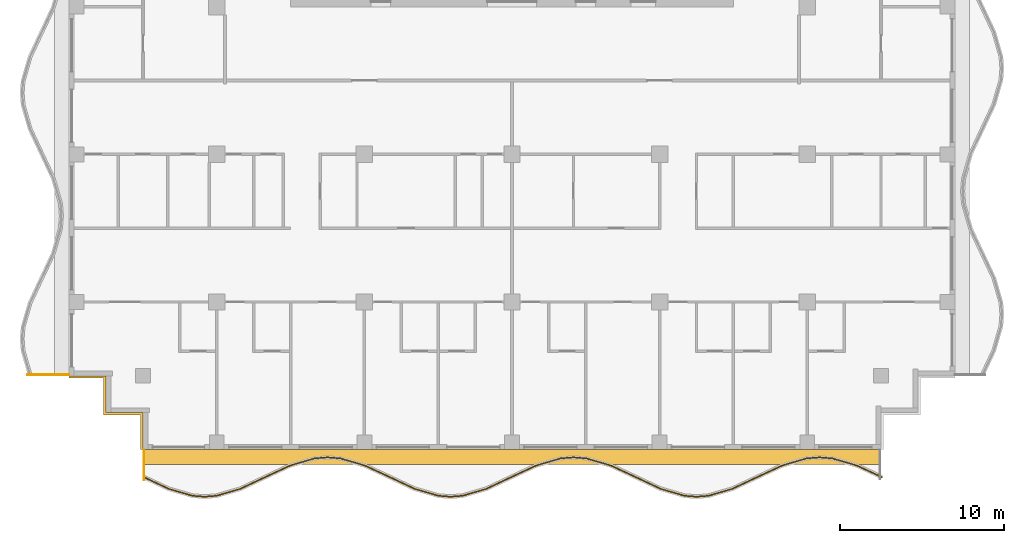
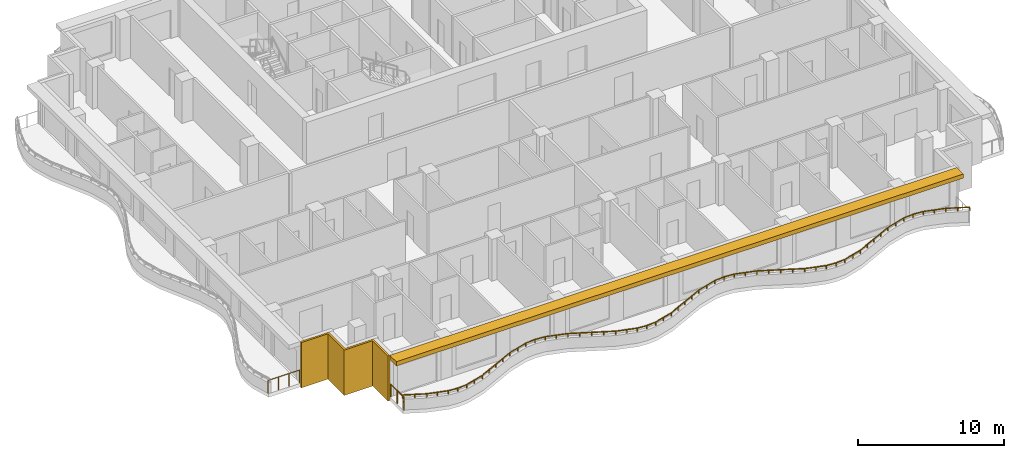
# One storey, part 8 of 11: 3 railings, 2 shading devices.
"""IFC4 building model written with IfcOpenShell, lengths in metres."""

from ifc_helpers import new_model, si_unit, direction, frame, origin, origin_2d, place, context, subcontext, project, spatial, polyline, rectangle, outline, extrude, material, layer, layer_set, type_object, element, save


model = new_model("IFC4")

# Units and contexts
model_context = context("Model", 3, precision=1e-05, world=origin(), true_north=direction((0.0, 1.0)))
body_context = subcontext(model_context, "Body", "Model", "MODEL_VIEW")
ifc_project = project(units=[si_unit("LENGTHUNIT", "METRE"), si_unit("AREAUNIT", "SQUARE_METRE"), si_unit("VOLUMEUNIT", "CUBIC_METRE"), si_unit("PLANEANGLEUNIT", "RADIAN"), si_unit("MASSUNIT", "GRAM", prefix="KILO")], contexts=[model_context])

# Site, building, storey
site_placement = place(None, origin())
site = spatial("IfcSite", under=ifc_project, at=site_placement, CompositionType="ELEMENT")
building_placement = place(site_placement, origin())
building = spatial("IfcBuilding", under=site, at=building_placement, Name="Orbiselva Terraces", CompositionType="ELEMENT")
storey_placement = place(building_placement, frame((0.0, 0.0, 242.6)))
storey = spatial("IfcBuildingStorey", under=building, at=storey_placement, Name="L61", CompositionType="ELEMENT", Elevation=242.6)

# Railings
ifc_material_1 = material(Name="Bonded two-ply safety glass balustrade, stainless steel posts", Category="steel")
railing_type_1 = type_object("IfcRailingType", Name="ENV-BALUSTRADE-1200", PredefinedType="BALUSTRADE", material=ifc_material_1)
railing_1_placement = place(storey_placement, frame((-22.446809, -24.186882, 0.9)))
element("IfcRailing", 1, at=railing_1_placement, inside=storey, type_object=railing_type_1, Name="Balcony balustrade L61 S", PredefinedType="BALUSTRADE", context=body_context, shape_type="SweptSolid", body=[
    extrude(outline(polyline([(0.028868, 0.0), (0.014434, 0.025), (-0.014434, 0.025), (-0.028868, 0.0), (-0.014434, -0.025), (0.014434, -0.025), (0.028868, 0.0)])), frame((0.0, 0.0, 0.275), z_axis=(0.904944359461, -0.425529912322, 0.0), x_axis=(0.425529912322, 0.904944359461, 0.0)), (0.0, 0.0, 1.0), 1.647746),
    extrude(outline(polyline([(0.028868, 0.0), (0.014434, 0.025), (-0.014434, 0.025), (-0.028868, 0.0), (-0.014434, -0.025), (0.014434, -0.025), (0.028868, 0.0)])), frame((1.491118, -0.701165, 0.275), z_axis=(0.960270317007, -0.279071528957, 0.0), x_axis=(0.279071528957, 0.960270317007, 0.0)), (0.0, 0.0, 1.0), 1.539408),
    extrude(outline(polyline([(0.028868, 0.0), (0.014434, 0.025), (-0.014434, 0.025), (-0.028868, 0.0), (-0.014434, -0.025), (0.014434, -0.025), (0.028868, 0.0)])), frame((2.969366, -1.13077, 0.275), z_axis=(0.996947916106, -0.078069536776, 0.0), x_axis=(0.078069536776, 0.996947916106, 0.0)), (0.0, 0.0, 1.0), 0.72967),
    extrude(outline(polyline([(0.028868, 0.0), (0.014434, 0.025), (-0.014434, 0.025), (-0.028868, 0.0), (-0.014434, -0.025), (0.014434, -0.025), (0.028868, 0.0)])), frame((3.696809, -1.187735, 0.275), z_axis=(0.996947916106, 0.078069536776, 0.0), x_axis=(-0.078069536776, 0.996947916106, 0.0)), (0.0, 0.0, 1.0), 0.72967),
    extrude(outline(polyline([(0.028868, 0.0), (0.014434, 0.025), (-0.014434, 0.025), (-0.028868, 0.0), (-0.014434, -0.025), (0.014434, -0.025), (0.028868, 0.0)])), frame((4.424252, -1.13077, 0.275), z_axis=(0.960270317007, 0.279071528957, 0.0), x_axis=(-0.279071528957, 0.960270317007, 0.0)), (0.0, 0.0, 1.0), 1.539408),
    extrude(outline(polyline([(0.028868, 0.0), (0.014434, 0.025), (-0.014434, 0.025), (-0.028868, 0.0), (-0.014434, -0.025), (0.014434, -0.025), (0.028868, 0.0)])), frame((5.9025, -0.701165, 0.275), z_axis=(0.904944359461, 0.425529912322, 0.0), x_axis=(-0.425529912322, 0.904944359461, 0.0)), (0.0, 0.0, 1.0), 1.647746),
    extrude(outline(polyline([(0.028868, 0.0), (0.014434, 0.025), (-0.014434, 0.025), (-0.028868, 0.0), (-0.014434, -0.025), (0.014434, -0.025), (0.028868, 0.0)])), frame((7.393618, 0.0, 0.275), z_axis=(0.904944157382, 0.425530342069, 0.0), x_axis=(-0.425530342069, 0.904944157382, 0.0)), (0.0, 0.0, 1.0), 1.667376),
    extrude(outline(polyline([(0.028868, 0.0), (0.014434, 0.025), (-0.014434, 0.025), (-0.028868, 0.0), (-0.014434, -0.025), (0.014434, -0.025), (0.028868, 0.0)])), frame((8.9025, 0.709519, 0.275), z_axis=(0.960270491427, 0.279070928786, 0.0), x_axis=(-0.279070928786, 0.960270491427, 0.0)), (0.0, 0.0, 1.0), 1.584712),
    extrude(outline(polyline([(0.028868, 0.0), (0.014434, 0.025), (-0.014434, 0.025), (-0.028868, 0.0), (-0.014434, -0.025), (0.014434, -0.025), (0.028868, 0.0)])), frame((10.424252, 1.151766, 0.275), z_axis=(0.996947796737, 0.078071061106, 0.0), x_axis=(-0.078071061106, 0.996947796737, 0.0)), (0.0, 0.0, 1.0), 0.774922),
    extrude(outline(polyline([(0.028868, 0.0), (0.014434, 0.025), (-0.014434, 0.025), (-0.028868, 0.0), (-0.014434, -0.025), (0.014434, -0.025), (0.028868, 0.0)])), frame((11.196809, 1.212265, 0.275), z_axis=(0.996947796737, -0.078071061106, 0.0), x_axis=(0.078071061106, 0.996947796737, 0.0)), (0.0, 0.0, 1.0), 0.774922),
    extrude(outline(polyline([(0.028868, 0.0), (0.014434, 0.025), (-0.014434, 0.025), (-0.028868, 0.0), (-0.014434, -0.025), (0.014434, -0.025), (0.028868, 0.0)])), frame((11.969366, 1.151766, 0.275), z_axis=(0.960270491427, -0.279070928786, 0.0), x_axis=(0.279070928786, 0.960270491427, 0.0)), (0.0, 0.0, 1.0), 1.584712),
    extrude(outline(polyline([(0.028868, 0.0), (0.014434, 0.025), (-0.014434, 0.025), (-0.028868, 0.0), (-0.014434, -0.025), (0.014434, -0.025), (0.028868, 0.0)])), frame((13.491118, 0.709519, 0.275), z_axis=(0.904944157382, -0.425530342069, 0.0), x_axis=(0.425530342069, 0.904944157382, 0.0)), (0.0, 0.0, 1.0), 1.667376),
    extrude(outline(polyline([(0.028868, 0.0), (0.014434, 0.025), (-0.014434, 0.025), (-0.028868, 0.0), (-0.014434, -0.025), (0.014434, -0.025), (0.028868, 0.0)])), frame((15.0, 0.0, 0.275), z_axis=(0.904944359461, -0.425529912322, 0.0), x_axis=(0.425529912322, 0.904944359461, 0.0)), (0.0, 0.0, 1.0), 1.647746),
    extrude(outline(polyline([(0.028868, 0.0), (0.014434, 0.025), (-0.014434, 0.025), (-0.028868, 0.0), (-0.014434, -0.025), (0.014434, -0.025), (0.028868, 0.0)])), frame((16.491118, -0.701165, 0.275), z_axis=(0.960270317007, -0.279071528957, 0.0), x_axis=(0.279071528957, 0.960270317007, 0.0)), (0.0, 0.0, 1.0), 1.539408),
    extrude(outline(polyline([(0.028868, 0.0), (0.014434, 0.025), (-0.014434, 0.025), (-0.028868, 0.0), (-0.014434, -0.025), (0.014434, -0.025), (0.028868, 0.0)])), frame((17.969366, -1.13077, 0.275), z_axis=(0.996947916106, -0.078069536776, 0.0), x_axis=(0.078069536776, 0.996947916106, 0.0)), (0.0, 0.0, 1.0), 0.72967),
    extrude(outline(polyline([(0.028868, 0.0), (0.014434, 0.025), (-0.014434, 0.025), (-0.028868, 0.0), (-0.014434, -0.025), (0.014434, -0.025), (0.028868, 0.0)])), frame((18.696809, -1.187735, 0.275), z_axis=(0.996947916106, 0.078069536776, 0.0), x_axis=(-0.078069536776, 0.996947916106, 0.0)), (0.0, 0.0, 1.0), 0.72967),
    extrude(outline(polyline([(0.028868, 0.0), (0.014434, 0.025), (-0.014434, 0.025), (-0.028868, 0.0), (-0.014434, -0.025), (0.014434, -0.025), (0.028868, 0.0)])), frame((19.424252, -1.13077, 0.275), z_axis=(0.960270317007, 0.279071528957, 0.0), x_axis=(-0.279071528957, 0.960270317007, 0.0)), (0.0, 0.0, 1.0), 1.539408),
    extrude(outline(polyline([(0.028868, 0.0), (0.014434, 0.025), (-0.014434, 0.025), (-0.028868, 0.0), (-0.014434, -0.025), (0.014434, -0.025), (0.028868, 0.0)])), frame((20.9025, -0.701165, 0.275), z_axis=(0.904944359461, 0.425529912322, 0.0), x_axis=(-0.425529912322, 0.904944359461, 0.0)), (0.0, 0.0, 1.0), 1.647746),
    extrude(outline(polyline([(0.028868, 0.0), (0.014434, 0.025), (-0.014434, 0.025), (-0.028868, 0.0), (-0.014434, -0.025), (0.014434, -0.025), (0.028868, 0.0)])), frame((22.393618, 0.0, 0.275), z_axis=(0.904944157382, 0.425530342069, 0.0), x_axis=(-0.425530342069, 0.904944157382, 0.0)), (0.0, 0.0, 1.0), 1.667376),
    extrude(outline(polyline([(0.028868, 0.0), (0.014434, 0.025), (-0.014434, 0.025), (-0.028868, 0.0), (-0.014434, -0.025), (0.014434, -0.025), (0.028868, 0.0)])), frame((23.9025, 0.709519, 0.275), z_axis=(0.960270491427, 0.279070928786, 0.0), x_axis=(-0.279070928786, 0.960270491427, 0.0)), (0.0, 0.0, 1.0), 1.584712),
    extrude(outline(polyline([(0.028868, 0.0), (0.014434, 0.025), (-0.014434, 0.025), (-0.028868, 0.0), (-0.014434, -0.025), (0.014434, -0.025), (0.028868, 0.0)])), frame((25.424252, 1.151766, 0.275), z_axis=(0.996947796737, 0.078071061106, 0.0), x_axis=(-0.078071061106, 0.996947796737, 0.0)), (0.0, 0.0, 1.0), 0.774922),
    extrude(outline(polyline([(0.028868, 0.0), (0.014434, 0.025), (-0.014434, 0.025), (-0.028868, 0.0), (-0.014434, -0.025), (0.014434, -0.025), (0.028868, 0.0)])), frame((26.196809, 1.212265, 0.275), z_axis=(0.996947796737, -0.078071061106, 0.0), x_axis=(0.078071061106, 0.996947796737, 0.0)), (0.0, 0.0, 1.0), 0.774922),
    extrude(outline(polyline([(0.028868, 0.0), (0.014434, 0.025), (-0.014434, 0.025), (-0.028868, 0.0), (-0.014434, -0.025), (0.014434, -0.025), (0.028868, 0.0)])), frame((26.969366, 1.151766, 0.275), z_axis=(0.960270491427, -0.279070928786, 0.0), x_axis=(0.279070928786, 0.960270491427, 0.0)), (0.0, 0.0, 1.0), 1.584712),
    extrude(outline(polyline([(0.028868, 0.0), (0.014434, 0.025), (-0.014434, 0.025), (-0.028868, 0.0), (-0.014434, -0.025), (0.014434, -0.025), (0.028868, 0.0)])), frame((28.491118, 0.709519, 0.275), z_axis=(0.904944157382, -0.425530342069, 0.0), x_axis=(0.425530342069, 0.904944157382, 0.0)), (0.0, 0.0, 1.0), 1.667376),
    extrude(outline(polyline([(0.028868, 0.0), (0.014434, 0.025), (-0.014434, 0.025), (-0.028868, 0.0), (-0.014434, -0.025), (0.014434, -0.025), (0.028868, 0.0)])), frame((30.0, 0.0, 0.275), z_axis=(0.904944359461, -0.425529912322, 0.0), x_axis=(0.425529912322, 0.904944359461, 0.0)), (0.0, 0.0, 1.0), 1.647746),
    extrude(outline(polyline([(0.028868, 0.0), (0.014434, 0.025), (-0.014434, 0.025), (-0.028868, 0.0), (-0.014434, -0.025), (0.014434, -0.025), (0.028868, 0.0)])), frame((31.491118, -0.701165, 0.275), z_axis=(0.960270317007, -0.279071528957, 0.0), x_axis=(0.279071528957, 0.960270317007, 0.0)), (0.0, 0.0, 1.0), 1.539408),
    extrude(outline(polyline([(0.028868, 0.0), (0.014434, 0.025), (-0.014434, 0.025), (-0.028868, 0.0), (-0.014434, -0.025), (0.014434, -0.025), (0.028868, 0.0)])), frame((32.969366, -1.13077, 0.275), z_axis=(0.996947916106, -0.078069536776, 0.0), x_axis=(0.078069536776, 0.996947916106, 0.0)), (0.0, 0.0, 1.0), 0.72967),
    extrude(outline(polyline([(0.028868, 0.0), (0.014434, 0.025), (-0.014434, 0.025), (-0.028868, 0.0), (-0.014434, -0.025), (0.014434, -0.025), (0.028868, 0.0)])), frame((33.696809, -1.187735, 0.275), z_axis=(0.996947916106, 0.078069536776, 0.0), x_axis=(-0.078069536776, 0.996947916106, 0.0)), (0.0, 0.0, 1.0), 0.72967),
    extrude(outline(polyline([(0.028868, 0.0), (0.014434, 0.025), (-0.014434, 0.025), (-0.028868, 0.0), (-0.014434, -0.025), (0.014434, -0.025), (0.028868, 0.0)])), frame((34.424252, -1.13077, 0.275), z_axis=(0.960270317007, 0.279071528957, 0.0), x_axis=(-0.279071528957, 0.960270317007, 0.0)), (0.0, 0.0, 1.0), 1.539408),
    extrude(outline(polyline([(0.028868, 0.0), (0.014434, 0.025), (-0.014434, 0.025), (-0.028868, 0.0), (-0.014434, -0.025), (0.014434, -0.025), (0.028868, 0.0)])), frame((35.9025, -0.701165, 0.275), z_axis=(0.904944359461, 0.425529912322, 0.0), x_axis=(-0.425529912322, 0.904944359461, 0.0)), (0.0, 0.0, 1.0), 1.647746),
    extrude(outline(polyline([(0.028868, 0.0), (0.014434, 0.025), (-0.014434, 0.025), (-0.028868, 0.0), (-0.014434, -0.025), (0.014434, -0.025), (0.028868, 0.0)])), frame((37.393618, 0.0, 0.275), z_axis=(0.904944157382, 0.425530342069, 0.0), x_axis=(-0.425530342069, 0.904944157382, 0.0)), (0.0, 0.0, 1.0), 1.667376),
    extrude(outline(polyline([(0.028868, 0.0), (0.014434, 0.025), (-0.014434, 0.025), (-0.028868, 0.0), (-0.014434, -0.025), (0.014434, -0.025), (0.028868, 0.0)])), frame((38.9025, 0.709519, 0.275), z_axis=(0.960270491427, 0.279070928786, 0.0), x_axis=(-0.279070928786, 0.960270491427, 0.0)), (0.0, 0.0, 1.0), 1.584712),
    extrude(outline(polyline([(0.028868, 0.0), (0.014434, 0.025), (-0.014434, 0.025), (-0.028868, 0.0), (-0.014434, -0.025), (0.014434, -0.025), (0.028868, 0.0)])), frame((40.424252, 1.151766, 0.275), z_axis=(0.996947796737, 0.078071061106, 0.0), x_axis=(-0.078071061106, 0.996947796737, 0.0)), (0.0, 0.0, 1.0), 0.774922),
    extrude(outline(polyline([(0.028868, 0.0), (0.014434, 0.025), (-0.014434, 0.025), (-0.028868, 0.0), (-0.014434, -0.025), (0.014434, -0.025), (0.028868, 0.0)])), frame((41.196809, 1.212265, 0.275), z_axis=(0.996947796737, -0.078071061106, 0.0), x_axis=(0.078071061106, 0.996947796737, 0.0)), (0.0, 0.0, 1.0), 0.774922),
    extrude(outline(polyline([(0.028868, 0.0), (0.014434, 0.025), (-0.014434, 0.025), (-0.028868, 0.0), (-0.014434, -0.025), (0.014434, -0.025), (0.028868, 0.0)])), frame((41.969366, 1.151766, 0.275), z_axis=(0.960270491427, -0.279070928786, 0.0), x_axis=(0.279070928786, 0.960270491427, 0.0)), (0.0, 0.0, 1.0), 1.584712),
    extrude(outline(polyline([(0.028868, 0.0), (0.014434, 0.025), (-0.014434, 0.025), (-0.028868, 0.0), (-0.014434, -0.025), (0.014434, -0.025), (0.028868, 0.0)])), frame((43.491118, 0.709519, 0.275), z_axis=(0.904944157382, -0.425530342069, 0.0), x_axis=(0.425530342069, 0.904944157382, 0.0)), (0.0, 0.0, 1.0), 1.667376),
    extrude(rectangle(XDim=0.05, YDim=0.05, at=origin_2d()), origin(), (0.0, 0.0, 1.0), 0.25),
    extrude(rectangle(XDim=0.05, YDim=0.05, at=origin_2d()), frame((0.745559, -0.350582, 0.0)), (0.0, 0.0, 1.0), 0.25),
    extrude(rectangle(XDim=0.05, YDim=0.05, at=origin_2d()), frame((1.491118, -0.701165, 0.0)), (0.0, 0.0, 1.0), 0.25),
    extrude(rectangle(XDim=0.05, YDim=0.05, at=origin_2d()), frame((2.230242, -0.915967, 0.0)), (0.0, 0.0, 1.0), 0.25),
    extrude(rectangle(XDim=0.05, YDim=0.05, at=origin_2d()), frame((2.969366, -1.13077, 0.0)), (0.0, 0.0, 1.0), 0.25),
    extrude(rectangle(XDim=0.05, YDim=0.05, at=origin_2d()), frame((3.696809, -1.187735, 0.0)), (0.0, 0.0, 1.0), 0.25),
    extrude(rectangle(XDim=0.05, YDim=0.05, at=origin_2d()), frame((4.424252, -1.13077, 0.0)), (0.0, 0.0, 1.0), 0.25),
    extrude(rectangle(XDim=0.05, YDim=0.05, at=origin_2d()), frame((5.163376, -0.915967, 0.0)), (0.0, 0.0, 1.0), 0.25),
    extrude(rectangle(XDim=0.05, YDim=0.05, at=origin_2d()), frame((5.9025, -0.701165, 0.0)), (0.0, 0.0, 1.0), 0.25),
    extrude(rectangle(XDim=0.05, YDim=0.05, at=origin_2d()), frame((6.648059, -0.350582, 0.0)), (0.0, 0.0, 1.0), 0.25),
    extrude(rectangle(XDim=0.05, YDim=0.05, at=origin_2d()), frame((7.393618, 0.0, 0.0)), (0.0, 0.0, 1.0), 0.25),
    extrude(rectangle(XDim=0.05, YDim=0.05, at=origin_2d()), frame((8.148059, 0.35476, 0.0)), (0.0, 0.0, 1.0), 0.25),
    extrude(rectangle(XDim=0.05, YDim=0.05, at=origin_2d()), frame((8.9025, 0.709519, 0.0)), (0.0, 0.0, 1.0), 0.25),
    extrude(rectangle(XDim=0.05, YDim=0.05, at=origin_2d()), frame((9.663376, 0.930643, 0.0)), (0.0, 0.0, 1.0), 0.25),
    extrude(rectangle(XDim=0.05, YDim=0.05, at=origin_2d()), frame((10.424252, 1.151766, 0.0)), (0.0, 0.0, 1.0), 0.25),
    extrude(rectangle(XDim=0.05, YDim=0.05, at=origin_2d()), frame((11.196809, 1.212265, 0.0)), (0.0, 0.0, 1.0), 0.25),
    extrude(rectangle(XDim=0.05, YDim=0.05, at=origin_2d()), frame((11.969366, 1.151766, 0.0)), (0.0, 0.0, 1.0), 0.25),
    extrude(rectangle(XDim=0.05, YDim=0.05, at=origin_2d()), frame((12.730242, 0.930643, 0.0)), (0.0, 0.0, 1.0), 0.25),
    extrude(rectangle(XDim=0.05, YDim=0.05, at=origin_2d()), frame((13.491118, 0.709519, 0.0)), (0.0, 0.0, 1.0), 0.25),
    extrude(rectangle(XDim=0.05, YDim=0.05, at=origin_2d()), frame((14.245559, 0.35476, 0.0)), (0.0, 0.0, 1.0), 0.25),
    extrude(rectangle(XDim=0.05, YDim=0.05, at=origin_2d()), frame((15.0, 0.0, 0.0)), (0.0, 0.0, 1.0), 0.25),
    extrude(rectangle(XDim=0.05, YDim=0.05, at=origin_2d()), frame((15.745559, -0.350582, 0.0)), (0.0, 0.0, 1.0), 0.25),
    extrude(rectangle(XDim=0.05, YDim=0.05, at=origin_2d()), frame((16.491118, -0.701165, 0.0)), (0.0, 0.0, 1.0), 0.25),
    extrude(rectangle(XDim=0.05, YDim=0.05, at=origin_2d()), frame((17.230242, -0.915967, 0.0)), (0.0, 0.0, 1.0), 0.25),
    extrude(rectangle(XDim=0.05, YDim=0.05, at=origin_2d()), frame((17.969366, -1.13077, 0.0)), (0.0, 0.0, 1.0), 0.25),
    extrude(rectangle(XDim=0.05, YDim=0.05, at=origin_2d()), frame((18.696809, -1.187735, 0.0)), (0.0, 0.0, 1.0), 0.25),
    extrude(rectangle(XDim=0.05, YDim=0.05, at=origin_2d()), frame((19.424252, -1.13077, 0.0)), (0.0, 0.0, 1.0), 0.25),
    extrude(rectangle(XDim=0.05, YDim=0.05, at=origin_2d()), frame((20.163376, -0.915967, 0.0)), (0.0, 0.0, 1.0), 0.25),
    extrude(rectangle(XDim=0.05, YDim=0.05, at=origin_2d()), frame((20.9025, -0.701165, 0.0)), (0.0, 0.0, 1.0), 0.25),
    extrude(rectangle(XDim=0.05, YDim=0.05, at=origin_2d()), frame((21.648059, -0.350582, 0.0)), (0.0, 0.0, 1.0), 0.25),
    extrude(rectangle(XDim=0.05, YDim=0.05, at=origin_2d()), frame((22.393618, 0.0, 0.0)), (0.0, 0.0, 1.0), 0.25),
    extrude(rectangle(XDim=0.05, YDim=0.05, at=origin_2d()), frame((23.148059, 0.35476, 0.0)), (0.0, 0.0, 1.0), 0.25),
    extrude(rectangle(XDim=0.05, YDim=0.05, at=origin_2d()), frame((23.9025, 0.709519, 0.0)), (0.0, 0.0, 1.0), 0.25),
    extrude(rectangle(XDim=0.05, YDim=0.05, at=origin_2d()), frame((24.663376, 0.930643, 0.0)), (0.0, 0.0, 1.0), 0.25),
    extrude(rectangle(XDim=0.05, YDim=0.05, at=origin_2d()), frame((25.424252, 1.151766, 0.0)), (0.0, 0.0, 1.0), 0.25),
    extrude(rectangle(XDim=0.05, YDim=0.05, at=origin_2d()), frame((26.196809, 1.212265, 0.0)), (0.0, 0.0, 1.0), 0.25),
    extrude(rectangle(XDim=0.05, YDim=0.05, at=origin_2d()), frame((26.969366, 1.151766, 0.0)), (0.0, 0.0, 1.0), 0.25),
    extrude(rectangle(XDim=0.05, YDim=0.05, at=origin_2d()), frame((27.730242, 0.930643, 0.0)), (0.0, 0.0, 1.0), 0.25),
    extrude(rectangle(XDim=0.05, YDim=0.05, at=origin_2d()), frame((28.491118, 0.709519, 0.0)), (0.0, 0.0, 1.0), 0.25),
    extrude(rectangle(XDim=0.05, YDim=0.05, at=origin_2d()), frame((29.245559, 0.35476, 0.0)), (0.0, 0.0, 1.0), 0.25),
    extrude(rectangle(XDim=0.05, YDim=0.05, at=origin_2d()), frame((30.0, 0.0, 0.0)), (0.0, 0.0, 1.0), 0.25),
    extrude(rectangle(XDim=0.05, YDim=0.05, at=origin_2d()), frame((30.745559, -0.350582, 0.0)), (0.0, 0.0, 1.0), 0.25),
    extrude(rectangle(XDim=0.05, YDim=0.05, at=origin_2d()), frame((31.491118, -0.701165, 0.0)), (0.0, 0.0, 1.0), 0.25),
    extrude(rectangle(XDim=0.05, YDim=0.05, at=origin_2d()), frame((32.230242, -0.915967, 0.0)), (0.0, 0.0, 1.0), 0.25),
    extrude(rectangle(XDim=0.05, YDim=0.05, at=origin_2d()), frame((32.969366, -1.13077, 0.0)), (0.0, 0.0, 1.0), 0.25),
    extrude(rectangle(XDim=0.05, YDim=0.05, at=origin_2d()), frame((33.696809, -1.187735, 0.0)), (0.0, 0.0, 1.0), 0.25),
    extrude(rectangle(XDim=0.05, YDim=0.05, at=origin_2d()), frame((34.424252, -1.13077, 0.0)), (0.0, 0.0, 1.0), 0.25),
    extrude(rectangle(XDim=0.05, YDim=0.05, at=origin_2d()), frame((35.163376, -0.915967, 0.0)), (0.0, 0.0, 1.0), 0.25),
    extrude(rectangle(XDim=0.05, YDim=0.05, at=origin_2d()), frame((35.9025, -0.701165, 0.0)), (0.0, 0.0, 1.0), 0.25),
    extrude(rectangle(XDim=0.05, YDim=0.05, at=origin_2d()), frame((36.648059, -0.350582, 0.0)), (0.0, 0.0, 1.0), 0.25),
    extrude(rectangle(XDim=0.05, YDim=0.05, at=origin_2d()), frame((37.393618, 0.0, 0.0)), (0.0, 0.0, 1.0), 0.25),
    extrude(rectangle(XDim=0.05, YDim=0.05, at=origin_2d()), frame((38.148059, 0.35476, 0.0)), (0.0, 0.0, 1.0), 0.25),
    extrude(rectangle(XDim=0.05, YDim=0.05, at=origin_2d()), frame((38.9025, 0.709519, 0.0)), (0.0, 0.0, 1.0), 0.25),
    extrude(rectangle(XDim=0.05, YDim=0.05, at=origin_2d()), frame((39.663376, 0.930643, 0.0)), (0.0, 0.0, 1.0), 0.25),
    extrude(rectangle(XDim=0.05, YDim=0.05, at=origin_2d()), frame((40.424252, 1.151766, 0.0)), (0.0, 0.0, 1.0), 0.25),
    extrude(rectangle(XDim=0.05, YDim=0.05, at=origin_2d()), frame((41.196809, 1.212265, 0.0)), (0.0, 0.0, 1.0), 0.25),
    extrude(rectangle(XDim=0.05, YDim=0.05, at=origin_2d()), frame((41.969366, 1.151766, 0.0)), (0.0, 0.0, 1.0), 0.25),
    extrude(rectangle(XDim=0.05, YDim=0.05, at=origin_2d()), frame((42.730242, 0.930643, 0.0)), (0.0, 0.0, 1.0), 0.25),
    extrude(rectangle(XDim=0.05, YDim=0.05, at=origin_2d()), frame((43.491118, 0.709519, 0.0)), (0.0, 0.0, 1.0), 0.25),
    extrude(rectangle(XDim=0.05, YDim=0.05, at=origin_2d()), frame((44.245559, 0.35476, 0.0)), (0.0, 0.0, 1.0), 0.25),
    extrude(rectangle(XDim=0.05, YDim=0.05, at=origin_2d()), frame((45.0, 0.0, 0.0)), (0.0, 0.0, 1.0), 0.25),
])
ifc_material_2 = material(Name="Stainless steel rail and posts", Category="steel")
railing_type_2 = type_object("IfcRailingType", Name="ENV-GUARD-1105", PredefinedType="BALUSTRADE", material=ifc_material_2)
railing_2_placement = place(storey_placement, frame((-22.44, -24.330156, 0.0)))
element("IfcRailing", 2, at=railing_2_placement, inside=storey, type_object=railing_type_2, Name="Balcony end guard L61 S", PredefinedType="BALUSTRADE", context=body_context, shape_type="SweptSolid", body=[
    extrude(outline(polyline([(0.028868, 0.0), (0.014434, 0.025), (-0.014434, 0.025), (-0.028868, 0.0), (-0.014434, -0.025), (0.014434, -0.025), (0.028868, 0.0)])), frame((0.0, 0.0, 1.08), z_axis=(0.0, 1.0, 0.0), x_axis=(-1.0, 0.0, 0.0)), (0.0, 0.0, 1.0), 1.805156),
    extrude(rectangle(XDim=0.05, YDim=0.05, at=origin_2d()), origin(), (0.0, 0.0, 1.0), 1.055),
    extrude(rectangle(XDim=0.05, YDim=0.05, at=origin_2d()), frame((0.0, 0.902578, 0.0)), (0.0, 0.0, 1.0), 1.055),
    extrude(rectangle(XDim=0.05, YDim=0.05, at=origin_2d()), frame((0.0, 1.805156, 0.0)), (0.0, 0.0, 1.0), 1.055),
])
railing_3_placement = place(storey_placement, frame((-29.529516, -17.94, 0.0)))
element("IfcRailing", 3, at=railing_3_placement, inside=storey, type_object=railing_type_2, Name="Balcony end guard L61 W", PredefinedType="BALUSTRADE", context=body_context, shape_type="SweptSolid", body=[
    extrude(outline(polyline([(0.028868, 0.0), (0.014434, 0.025), (-0.014434, 0.025), (-0.028868, 0.0), (-0.014434, -0.025), (0.014434, -0.025), (0.028868, 0.0)])), frame((0.0, 0.0, 1.08), z_axis=(1.0, 0.0, 0.0), x_axis=(0.0, 1.0, 0.0)), (0.0, 0.0, 1.0), 2.504516),
    extrude(rectangle(XDim=0.05, YDim=0.05, at=origin_2d()), origin(), (0.0, 0.0, 1.0), 1.055),
    extrude(rectangle(XDim=0.05, YDim=0.05, at=origin_2d()), frame((0.834839, 0.0, 0.0)), (0.0, 0.0, 1.0), 1.055),
    extrude(rectangle(XDim=0.05, YDim=0.05, at=origin_2d()), frame((1.669677, 0.0, 0.0)), (0.0, 0.0, 1.0), 1.055),
    extrude(rectangle(XDim=0.05, YDim=0.05, at=origin_2d()), frame((2.504516, 0.0, 0.0)), (0.0, 0.0, 1.0), 1.055),
])

# Shading devices
ifc_material_3 = material(Name="Terracotta louvre screen", Category="masonry")
ifc_layer_1 = layer(ifc_material_3, 0.15)
ifc_layer_set_1 = layer_set([ifc_layer_1], Name="Terracotta louvre screen")
shading_device_type_1 = type_object("IfcShadingDeviceType", Name="ENV-SCREEN-150", PredefinedType="USERDEFINED", material=ifc_layer_set_1)
shading_device_1_placement = place(storey_placement, frame((0.0, 0.0, -0.3)))
element("IfcShadingDevice", 4, at=shading_device_1_placement, inside=storey, type_object=shading_device_type_1, Name="Louvre screen L61 SW", ObjectType="SCREEN", PredefinedType="USERDEFINED", context=body_context, shape_type="SweptSolid", body=[
    extrude(outline(polyline([(-27.0, -18.15), (-24.9, -18.15), (-24.9, -20.4), (-22.65, -20.4), (-22.65, -22.5), (-22.5, -22.5), (-22.5, -20.25), (-24.75, -20.25), (-24.75, -18.0), (-27.0, -18.0), (-27.0, -18.15)])), origin(), (0.0, 0.0, 1.0), 3.8),
])
ifc_material_4 = material(Name="Terracotta baguette sunshade", Category="masonry")
ifc_layer_2 = layer(ifc_material_4, 0.35)
ifc_layer_set_2 = layer_set([ifc_layer_2], Name="Terracotta baguette sunshade")
shading_device_type_2 = type_object("IfcShadingDeviceType", Name="ENV-SUNSHADE-900x350", PredefinedType="USERDEFINED", material=ifc_layer_set_2)
shading_device_2_placement = place(storey_placement, frame((0.0, 0.0, 3.15)))
element("IfcShadingDevice", 5, at=shading_device_2_placement, inside=storey, type_object=shading_device_type_2, Name="Sunshade band L61 S", ObjectType="SUNSHADE", PredefinedType="USERDEFINED", context=body_context, shape_type="SweptSolid", body=[
    extrude(outline(polyline([(-22.5, -23.4), (22.5, -23.4), (22.5, -22.5), (-22.5, -22.5), (-22.5, -23.4)])), origin(), (0.0, 0.0, 1.0), 0.35),
])

save(model, "model.ifc")
